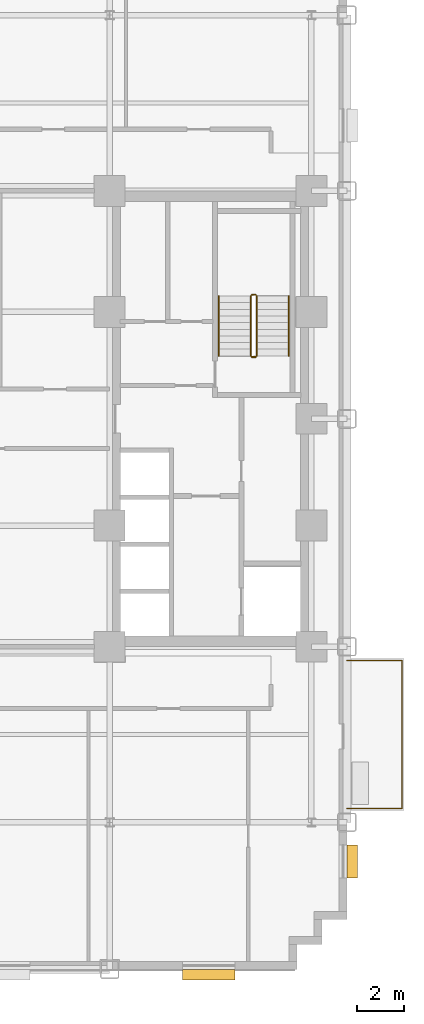
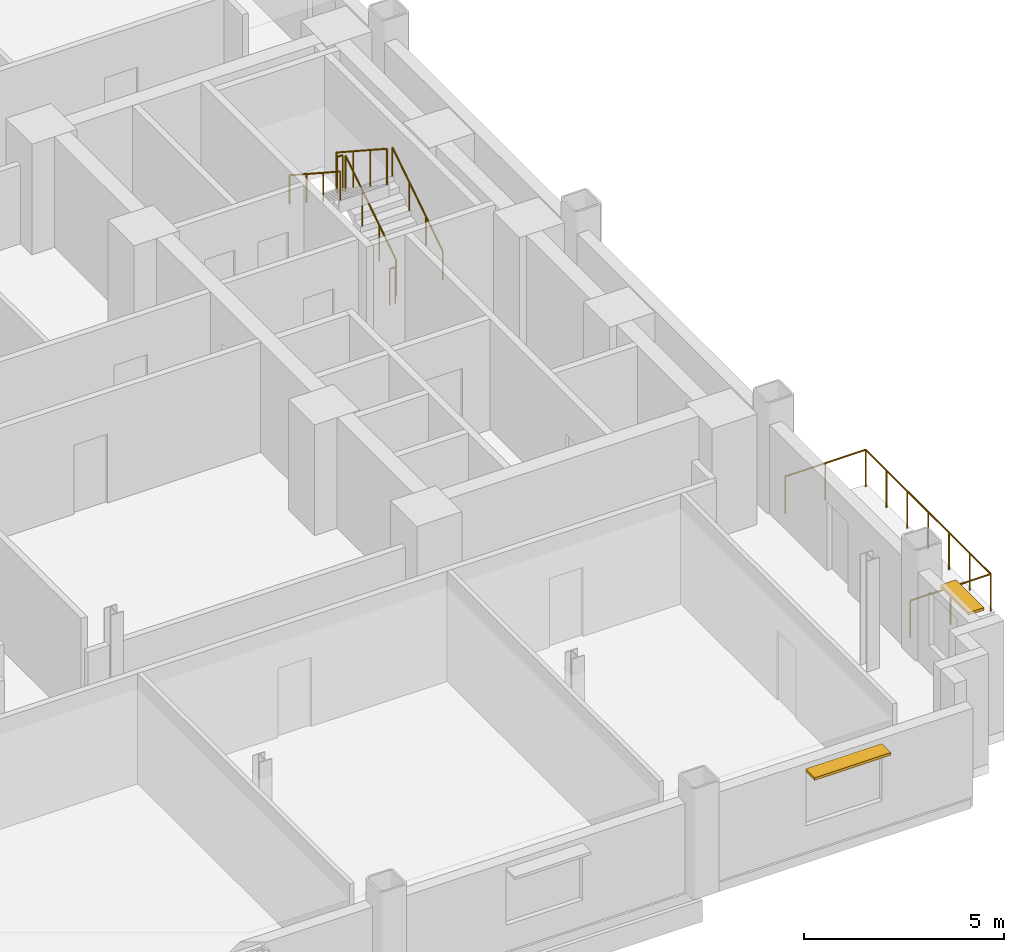
# One storey, part 11 of 12: 7 railings, 2 shading devices.
"""IFC4 building model written with IfcOpenShell, lengths in metres."""

import ifcopenshell
import ifcopenshell.guid

model = None  # the IFC model being written
_history = None  # IfcOwnerHistory: only IFC2X3 demands one
_inside = {}  # id of a spatial element -> (the spatial element, [elements in it])
_under = {}  # id of a project, library or spatial element -> (it, [spatial elements below it])
_declared = {}  # id of a project -> (the project, [libraries it declares])
_typed = {}  # id of a type object -> (the type object, [elements of that type])
_made_of = {}  # id of a material, layer set ... -> (it, [elements and type objects made of it])


def new_model(schema):
    """Start an empty IFC model of exactly this schema.

    Asked for "IFC4X3", IfcOpenShell would pick the latest addendum, in which some entities
    have other attributes; the version numbers below select the first issue.
    IFC2X3 requires an IfcOwnerHistory on every rooted entity: one is made here for all.
    """
    global model, _history
    if schema == "IFC4X3":
        model = ifcopenshell.file(schema_version=(4, 3, 0, 0))
    else:
        model = ifcopenshell.file(schema=schema)
    _inside.clear()
    _under.clear()
    _declared.clear()
    _typed.clear()
    _made_of.clear()
    _history = None
    if model.schema == "IFC2X3":
        org = make("IfcOrganization", Name="unknown")
        user = make(
            "IfcPersonAndOrganization",
            ThePerson=make("IfcPerson", FamilyName="unknown"),
            TheOrganization=org,
        )
        app = make(
            "IfcApplication",
            ApplicationDeveloper=org,
            Version="unknown",
            ApplicationFullName="unknown",
            ApplicationIdentifier="unknown",
        )
        _history = make(
            "IfcOwnerHistory",
            OwningUser=user,
            OwningApplication=app,
            ChangeAction="ADDED",
            CreationDate=0,
        )
    return model


def make(cls, **values):
    """One entity of the class cls with the attributes given. An attribute that is None is left unset."""
    return model.create_entity(
        cls, **{name: value for name, value in values.items() if value is not None}
    )


def rooted(cls, **values):
    """An entity with a GlobalId (a new one), such as an element, a storey or a relation."""
    return make(cls, GlobalId=ifcopenshell.guid.new(), OwnerHistory=_history, **values)


def si_unit(unit_type, name, prefix=None):
    """IfcSIUnit, for example si_unit("LENGTHUNIT", "METRE", prefix="MILLI")."""
    return make("IfcSIUnit", UnitType=unit_type, Prefix=prefix, Name=name)


def assignment(units):
    """IfcUnitAssignment: the units of a project."""
    return None if units is None else make("IfcUnitAssignment", Units=units)


def point(xyz):
    """IfcCartesianPoint."""
    return None if xyz is None else make("IfcCartesianPoint", Coordinates=xyz)


def direction(xyz):
    """IfcDirection."""
    return None if xyz is None else make("IfcDirection", DirectionRatios=xyz)


def frame(location, z_axis=None, x_axis=None):
    """IfcAxis2Placement3D, a coordinate frame: its origin and axes. An axis left out is left unset."""
    return make(
        "IfcAxis2Placement3D",
        Location=point(location),
        Axis=direction(z_axis),
        RefDirection=direction(x_axis),
    )


def frame_2d(location, x_axis=None):
    """IfcAxis2Placement2D, a coordinate frame in the plane: its origin and x axis."""
    return make(
        "IfcAxis2Placement2D", Location=point(location), RefDirection=direction(x_axis)
    )


def origin():
    """The frame at (0, 0, 0) with its axes left unset."""
    return frame((0.0, 0.0, 0.0))


def origin_2d():
    """The frame at (0, 0) in the plane with its x axis left unset."""
    return frame_2d((0.0, 0.0))


def place(relative_to, where):
    """IfcLocalPlacement: puts the frame where relative to a parent placement (None: the world)."""
    return make(
        "IfcLocalPlacement", PlacementRelTo=relative_to, RelativePlacement=where
    )


def context(
    kind, dimensions, precision=None, world=None, true_north=None, identifier=None
):
    """IfcGeometricRepresentationContext, for example the 3D "Model" context."""
    return make(
        "IfcGeometricRepresentationContext",
        ContextIdentifier=identifier,
        ContextType=kind,
        CoordinateSpaceDimension=dimensions,
        Precision=precision,
        WorldCoordinateSystem=world,
        TrueNorth=true_north,
    )


def subcontext(parent, identifier, kind, view, scale=None):
    """IfcGeometricRepresentationSubContext, for example "Body" below "Model"."""
    return make(
        "IfcGeometricRepresentationSubContext",
        ContextIdentifier=identifier,
        ContextType=kind,
        ParentContext=parent,
        TargetScale=scale,
        TargetView=view,
    )


def project(units=None, contexts=None):
    """IfcProject with its units and contexts."""
    return rooted(
        "IfcProject",
        Name="project",
        RepresentationContexts=contexts,
        UnitsInContext=assignment(units),
    )


def spatial(cls, under=None, at=None, **own):
    """A site, building, storey or space (cls), placed at a placement, below another one or the project."""
    s = rooted(cls, ObjectPlacement=at, **own)
    if under is not None:
        _under.setdefault(under.id(), (under, []))[1].append(s)
    return s


def profile(cls, at=None, kind="AREA", **sizes):
    """A parametric profile (cls). Its sizes go by their IFC names, for example OverallWidth=200.0."""
    return make(cls, ProfileType=kind, Position=at, **sizes)


def rectangle(**sizes):
    """IfcRectangleProfileDef."""
    return profile("IfcRectangleProfileDef", **sizes)


def circle(**sizes):
    """IfcCircleProfileDef."""
    return profile("IfcCircleProfileDef", **sizes)


def extrude(swept, where, along, depth):
    """IfcExtrudedAreaSolid: the profile swept, set in the frame where, extruded along a direction by depth."""
    return make(
        "IfcExtrudedAreaSolid",
        SweptArea=swept,
        Position=where,
        ExtrudedDirection=direction(along),
        Depth=depth,
    )


def shape(context_of_items, identifier, shape_type, items):
    """IfcShapeRepresentation: the items that make up one representation, for example the "Body"."""
    return make(
        "IfcShapeRepresentation",
        ContextOfItems=context_of_items,
        RepresentationIdentifier=identifier,
        RepresentationType=shape_type,
        Items=items,
    )


def source(mapping_origin, context_of_items, identifier, shape_type, items):
    """IfcRepresentationMap: a shape defined once, which mapped items show again and again."""
    return make(
        "IfcRepresentationMap",
        MappingOrigin=mapping_origin,
        MappedRepresentation=shape(context_of_items, identifier, shape_type, items),
    )


def transform(
    local_origin,
    x_axis=None,
    y_axis=None,
    z_axis=None,
    scale=None,
    scale2=None,
    scale3=None,
    uniform=True,
):
    """IfcCartesianTransformationOperator3D, or its non-uniform kind. x_axis, y_axis, z_axis: its Axis1, 2, 3."""
    if uniform:
        return make(
            "IfcCartesianTransformationOperator3D",
            Axis1=direction(x_axis),
            Axis2=direction(y_axis),
            LocalOrigin=point(local_origin),
            Scale=scale,
            Axis3=direction(z_axis),
        )
    return make(
        "IfcCartesianTransformationOperator3DnonUniform",
        Axis1=direction(x_axis),
        Axis2=direction(y_axis),
        LocalOrigin=point(local_origin),
        Scale=scale,
        Axis3=direction(z_axis),
        Scale2=scale2,
        Scale3=scale3,
    )


def mapped(mapping_source, mapping_target):
    """IfcMappedItem: shows the shape of a source again, moved by a transform."""
    return make(
        "IfcMappedItem", MappingSource=mapping_source, MappingTarget=mapping_target
    )


def material(Name=None, Category=None):
    """IfcMaterial."""
    return make("IfcMaterial", Name=Name, Category=Category)


def made_of(thing, what):
    """Note that an element or type object is made of a material, layer set ...; save() writes the relation."""
    if what is not None:
        _made_of.setdefault(what.id(), (what, []))[1].append(thing)
    return thing


def type_object(cls, material=None, **own):
    """A type object (cls), such as IfcWallType, which elements share."""
    return made_of(rooted(cls, **own), material)


def type_shapes(of_type, sources):
    """Give a type object the sources (RepresentationMaps) that its elements show as mapped items."""
    of_type.RepresentationMaps = sources


def element(
    cls,
    number,
    at=None,
    inside=None,
    cuts=None,
    type_object=None,
    material=None,
    context=None,
    identifier="Body",
    shape_type=None,
    held_by="IfcProductDefinitionShape",
    body=None,
    shapes=None,
    **own,
):
    """One element of the class cls, such as IfcWall. Its Tag is "e" and its number.

    at: its placement. inside: the storey or other place that contains it. cuts: it is an
    opening in that element (IfcRelVoidsElement). A single representation is given by context,
    identifier, shape_type and body (its items); several are given by shapes. held_by: the class
    of the entity that holds the representations. save() writes the other relations.
    """
    e = rooted(cls, Tag="e%d" % number, ObjectPlacement=at, **own)
    if body is not None:
        shapes = [shape(context, identifier, shape_type, body)]
    if shapes is not None:
        e.Representation = make(held_by, Representations=shapes)
    if inside is not None:
        _inside.setdefault(inside.id(), (inside, []))[1].append(e)
    if cuts is not None:
        rooted(
            "IfcRelVoidsElement", RelatingBuildingElement=cuts, RelatedOpeningElement=e
        )
    if type_object is not None:
        _typed.setdefault(type_object.id(), (type_object, []))[1].append(e)
    return made_of(e, material)


def aggregate(whole, parts):
    """IfcRelAggregates: a whole, such as a stair, and the parts it consists of."""
    return rooted("IfcRelAggregates", RelatingObject=whole, RelatedObjects=parts)


def save(model, path):
    """Write the relations noted so far, then the file.

    IfcRelAggregates (storeys below a building ...), IfcRelContainedInSpatialStructure (elements
    in a storey), IfcRelDefinesByType, IfcRelAssociatesMaterial and IfcRelDeclares: one each for
    every whole, place, type object, material and project.
    """
    for whole, parts in _under.values():
        aggregate(whole, parts)
    for where, things in _inside.values():
        rooted(
            "IfcRelContainedInSpatialStructure",
            RelatedElements=things,
            RelatingStructure=where,
        )
    for kind, things in _typed.values():
        rooted("IfcRelDefinesByType", RelatedObjects=things, RelatingType=kind)
    for what, things in _made_of.values():
        rooted("IfcRelAssociatesMaterial", RelatedObjects=things, RelatingMaterial=what)
    for by, libraries in _declared.values():
        rooted("IfcRelDeclares", RelatingContext=by, RelatedDefinitions=libraries)
    model.write(path)


model = new_model("IFC4")

# Units and contexts
model_context = context("Model", 3, precision=1e-05, world=origin(), true_north=direction((0.0, 1.0)))
body_context = subcontext(model_context, "Body", "Model", "MODEL_VIEW")
ifc_project = project(units=[si_unit("LENGTHUNIT", "METRE"), si_unit("AREAUNIT", "SQUARE_METRE"), si_unit("VOLUMEUNIT", "CUBIC_METRE"), si_unit("PLANEANGLEUNIT", "RADIAN"), si_unit("MASSUNIT", "GRAM", prefix="KILO")], contexts=[model_context])

# Site, building, storey
site_placement = place(None, origin())
site = spatial("IfcSite", under=ifc_project, at=site_placement, CompositionType="ELEMENT")
building_placement = place(site_placement, origin())
building = spatial("IfcBuilding", under=site, at=building_placement, Name="Nuvemarco Arch Tower", CompositionType="ELEMENT")
storey_placement = place(building_placement, frame((0.0, 0.0, 45.85009765625)))
storey = spatial("IfcBuildingStorey", under=building, at=storey_placement, Name="L11", CompositionType="ELEMENT", Elevation=45.85009765625)

# Railings
ifc_material_1 = material(Name="Brushed stainless steel handrail", Category="steel")
railing_type_1 = type_object("IfcRailingType", Name="RL-HANDRAIL-900", PredefinedType="HANDRAIL", material=ifc_material_1)
railing_1_placement = place(storey_placement, frame((16.550048828125, 2.64990234375, 0.182373046875)))
element("IfcRailing", 1, at=railing_1_placement, inside=storey, type_object=railing_type_1, Name="L11 ST-2 stair handrail 1", PredefinedType="HANDRAIL", context=body_context, shape_type="SweptSolid", body=[
    extrude(circle(Radius=0.02392578125, at=origin_2d()), frame((0.0, 0.0, 0.8759765625), z_axis=(0.0, 0.837749427056, 0.546054848405), x_axis=(-1.0, 0.0, 0.0)), (0.0, 0.0, 1.0), 3.008056640625),
    extrude(circle(Radius=0.02099609375, at=origin_2d()), origin(), (0.0, 0.0, 1.0), 0.851806640625),
    extrude(circle(Radius=0.02099609375, at=origin_2d()), frame((0.0, 0.840087890625, 0.547607421875)), (0.0, 0.0, 1.0), 0.851806640625),
    extrude(circle(Radius=0.02099609375, at=origin_2d()), frame((0.0, 1.679931640625, 1.094970703125)), (0.0, 0.0, 1.0), 0.851806640625),
    extrude(circle(Radius=0.02099609375, at=origin_2d()), frame((0.0, 2.52001953125, 1.642578125)), (0.0, 0.0, 1.0), 0.851806640625),
])
railing_2_placement = place(storey_placement, frame((13.590087890625, 5.169921875, 2.00732421875)))
element("IfcRailing", 2, at=railing_2_placement, inside=storey, type_object=railing_type_1, Name="L11 ST-2 stair handrail 2", PredefinedType="HANDRAIL", context=body_context, shape_type="SweptSolid", body=[
    extrude(circle(Radius=0.02392578125, at=origin_2d()), frame((0.0, 0.0, 0.8759765625), z_axis=(0.0, -0.837749427056, 0.546054848405), x_axis=(1.0, 0.0, 0.0)), (0.0, 0.0, 1.0), 3.008056640625),
    extrude(circle(Radius=0.02099609375, at=origin_2d()), origin(), (0.0, 0.0, 1.0), 0.851806640625),
    extrude(circle(Radius=0.02099609375, at=origin_2d()), frame((0.0, -0.840087890625, 0.547607421875)), (0.0, 0.0, 1.0), 0.851806640625),
    extrude(circle(Radius=0.02099609375, at=origin_2d()), frame((0.0, -1.679931640625, 1.094970703125)), (0.0, 0.0, 1.0), 0.851806640625),
    extrude(circle(Radius=0.02099609375, at=origin_2d()), frame((0.0, -2.52001953125, 1.642578125)), (0.0, 0.0, 1.0), 0.851806640625),
])
ifc_material_2 = material(Name="Painted balustrade steel S355", Category="steel")
railing_type_2 = type_object("IfcRailingType", Name="RL-STAIR-GUARD", PredefinedType="GUARDRAIL", material=ifc_material_2)
railing_3_placement = place(storey_placement, frame((15.199951171875, 2.64990234375, 0.182373046875)))
element("IfcRailing", 3, at=railing_3_placement, inside=storey, type_object=railing_type_2, Name="L11 ST-2 stair guard 1", PredefinedType="GUARDRAIL", context=body_context, shape_type="SweptSolid", body=[
    extrude(circle(Radius=0.02392578125, at=origin_2d()), frame((0.0, 0.0, 1.09619140625), z_axis=(0.0, 0.837749427056, 0.546054848405), x_axis=(-1.0, 0.0, 0.0)), (0.0, 0.0, 1.0), 3.008056640625),
    extrude(circle(Radius=0.02099609375, at=origin_2d()), origin(), (0.0, 0.0, 1.0), 1.072021484375),
    extrude(circle(Radius=0.02099609375, at=origin_2d()), frame((0.0, 0.840087890625, 0.547607421875)), (0.0, 0.0, 1.0), 1.072021484375),
    extrude(circle(Radius=0.02099609375, at=origin_2d()), frame((0.0, 1.679931640625, 1.094970703125)), (0.0, 0.0, 1.0), 1.072021484375),
    extrude(circle(Radius=0.02099609375, at=origin_2d()), frame((0.0, 2.52001953125, 1.642578125)), (0.0, 0.0, 1.0), 1.072021484375),
])
railing_4_placement = place(storey_placement, frame((15.14990234375, 5.219970703125, 1.824951171875)))
element("IfcRailing", 4, at=railing_4_placement, inside=storey, type_object=railing_type_2, Name="L11 ST-2 stair guard 2", PredefinedType="GUARDRAIL", context=body_context, shape_type="SweptSolid", body=[
    extrude(circle(Radius=0.02392578125, at=origin_2d()), frame((0.0, 0.0, 1.09619140625), z_axis=(-1.0, 0.0, 0.0), x_axis=(0.0, -1.0, 0.0)), (0.0, 0.0, 1.0), 0.159912109375),
    extrude(circle(Radius=0.02099609375, at=origin_2d()), origin(), (0.0, 0.0, 1.0), 1.072021484375),
    extrude(circle(Radius=0.02099609375, at=origin_2d()), frame((-0.159912109375, 0.0, 0.0)), (0.0, 0.0, 1.0), 1.072021484375),
])
railing_5_placement = place(storey_placement, frame((14.93994140625, 5.169921875, 2.00732421875)))
element("IfcRailing", 5, at=railing_5_placement, inside=storey, type_object=railing_type_2, Name="L11 ST-2 stair guard 3", PredefinedType="GUARDRAIL", context=body_context, shape_type="SweptSolid", body=[
    extrude(circle(Radius=0.02392578125, at=origin_2d()), frame((0.0, 0.0, 1.09619140625), z_axis=(0.0, -0.837749427056, 0.546054848405), x_axis=(1.0, 0.0, 0.0)), (0.0, 0.0, 1.0), 3.008056640625),
    extrude(circle(Radius=0.02099609375, at=origin_2d()), origin(), (0.0, 0.0, 1.0), 1.072021484375),
    extrude(circle(Radius=0.02099609375, at=origin_2d()), frame((0.0, -0.840087890625, 0.547607421875)), (0.0, 0.0, 1.0), 1.072021484375),
    extrude(circle(Radius=0.02099609375, at=origin_2d()), frame((0.0, -1.679931640625, 1.094970703125)), (0.0, 0.0, 1.0), 1.072021484375),
    extrude(circle(Radius=0.02099609375, at=origin_2d()), frame((0.0, -2.52001953125, 1.642578125)), (0.0, 0.0, 1.0), 1.072021484375),
])
railing_6_placement = place(storey_placement, frame((15.14990234375, 2.60009765625, 0.0)))
element("IfcRailing", 6, at=railing_6_placement, inside=storey, type_object=railing_type_2, Name="L11 ST-2 stair guard 4", PredefinedType="GUARDRAIL", context=body_context, shape_type="SweptSolid", body=[
    extrude(circle(Radius=0.02392578125, at=origin_2d()), frame((0.0, 0.0, 1.09619140625), z_axis=(-1.0, 0.0, 0.0), x_axis=(0.0, -1.0, 0.0)), (0.0, 0.0, 1.0), 0.159912109375),
    extrude(circle(Radius=0.02099609375, at=origin_2d()), origin(), (0.0, 0.0, 1.0), 1.072021484375),
    extrude(circle(Radius=0.02099609375, at=origin_2d()), frame((-0.159912109375, 0.0, 0.0)), (0.0, 0.0, 1.0), 1.072021484375),
])
ifc_material_3 = material(Name="Dark anodised balustrade steel S355", Category="steel")
railing_type_3 = type_object("IfcRailingType", Name="RL-TERR-GUARD", PredefinedType="BALUSTRADE", material=ifc_material_3)
railing_7_placement = place(storey_placement, frame((19.0, -16.419921875, 0.0)))
element("IfcRailing", 7, at=railing_7_placement, inside=storey, type_object=railing_type_3, Name="L11 spiral terrace perimeter balustrade guard", PredefinedType="BALUSTRADE", context=body_context, shape_type="SweptSolid", body=[
    extrude(circle(Radius=0.02392578125, at=origin_2d()), frame((0.0, 0.0, 1.1259765625), z_axis=(1.0, 0.0, 0.0), x_axis=(0.0, 1.0, 0.0)), (0.0, 0.0, 1.0), 2.320068359375),
    extrude(circle(Radius=0.02392578125, at=origin_2d()), frame((2.320068359375, 0.0, 1.1259765625), z_axis=(0.0, 1.0, 0.0), x_axis=(-1.0, 0.0, 0.0)), (0.0, 0.0, 1.0), 6.239990234375),
    extrude(circle(Radius=0.02392578125, at=origin_2d()), frame((2.320068359375, 6.239990234375, 1.1259765625), z_axis=(-1.0, 0.0, 0.0), x_axis=(0.0, -1.0, 0.0)), (0.0, 0.0, 1.0), 2.320068359375),
    extrude(circle(Radius=0.02099609375, at=origin_2d()), origin(), (0.0, 0.0, 1.0), 1.101806640625),
    extrude(circle(Radius=0.02099609375, at=origin_2d()), frame((1.16015625, 0.0, 0.0)), (0.0, 0.0, 1.0), 1.101806640625),
    extrude(circle(Radius=0.02099609375, at=origin_2d()), frame((2.320068359375, 0.0, 0.0)), (0.0, 0.0, 1.0), 1.101806640625),
    extrude(circle(Radius=0.02099609375, at=origin_2d()), frame((2.320068359375, 1.0400390625, 0.0)), (0.0, 0.0, 1.0), 1.101806640625),
    extrude(circle(Radius=0.02099609375, at=origin_2d()), frame((2.320068359375, 2.080078125, 0.0)), (0.0, 0.0, 1.0), 1.101806640625),
    extrude(circle(Radius=0.02099609375, at=origin_2d()), frame((2.320068359375, 3.1201171875, 0.0)), (0.0, 0.0, 1.0), 1.101806640625),
    extrude(circle(Radius=0.02099609375, at=origin_2d()), frame((2.320068359375, 4.159912109375, 0.0)), (0.0, 0.0, 1.0), 1.101806640625),
    extrude(circle(Radius=0.02099609375, at=origin_2d()), frame((2.320068359375, 5.199951171875, 0.0)), (0.0, 0.0, 1.0), 1.101806640625),
    extrude(circle(Radius=0.02099609375, at=origin_2d()), frame((2.320068359375, 6.239990234375, 0.0)), (0.0, 0.0, 1.0), 1.101806640625),
    extrude(circle(Radius=0.02099609375, at=origin_2d()), frame((1.16015625, 6.239990234375, 0.0)), (0.0, 0.0, 1.0), 1.101806640625),
    extrude(circle(Radius=0.02099609375, at=origin_2d()), frame((0.0, 6.239990234375, 0.0)), (0.0, 0.0, 1.0), 1.101806640625),
])

# Shading devices
ifc_material_4 = material(Name="Anodised aluminium 6063-T6", Category="aluminium")
shading_device_type_1 = type_object("IfcShadingDeviceType", Name="SHD-BRISE-SOLEIL", PredefinedType="USERDEFINED", material=ifc_material_4)
shared_shape_1 = source(origin(), body_context, "Body", "SweptSolid", [
    extrude(rectangle(XDim=2.199951171875, YDim=0.449951171875, at=origin_2d()), origin(), (0.0, 0.0, 1.0), 0.080078125),
])
type_shapes(shading_device_type_1, [shared_shape_1])
shading_device_1_placement = place(storey_placement, frame((13.1787109375, -23.4150390625, 2.454833984375), z_axis=(0.0, 0.0, 1.0), x_axis=(1.0, 0.0, 0.0)))
element("IfcShadingDevice", 8, at=shading_device_1_placement, inside=storey, type_object=shading_device_type_1, Name="L11 horizontal brise-soleil sunshade", ObjectType="SUNSHADE", PredefinedType="USERDEFINED", context=body_context, shape_type="MappedRepresentation", body=[
    mapped(shared_shape_1, transform((0.0, 0.0, 0.0), scale=1.0)),
])
shading_device_type_2 = type_object("IfcShadingDeviceType", Name="SHD-BRISE-NARROW", PredefinedType="USERDEFINED", material=ifc_material_4)
shared_shape_2 = source(origin(), body_context, "Body", "SweptSolid", [
    extrude(rectangle(XDim=1.39990234375, YDim=0.449951171875, at=origin_2d()), origin(), (0.0, 0.0, 1.0), 0.080078125),
])
type_shapes(shading_device_type_2, [shared_shape_2])
shading_device_2_placement = place(storey_placement, frame((19.215087890625, -18.6435546875, 2.454833984375), z_axis=(0.0, 0.0, 1.0), x_axis=(0.0, 1.0, 0.0)))
element("IfcShadingDevice", 9, at=shading_device_2_placement, inside=storey, type_object=shading_device_type_2, Name="L11 horizontal brise-soleil sunshade", ObjectType="SUNSHADE", PredefinedType="USERDEFINED", context=body_context, shape_type="MappedRepresentation", body=[
    mapped(shared_shape_2, transform((0.0, 0.0, 0.0), scale=1.0)),
])

save(model, "model.ifc")
